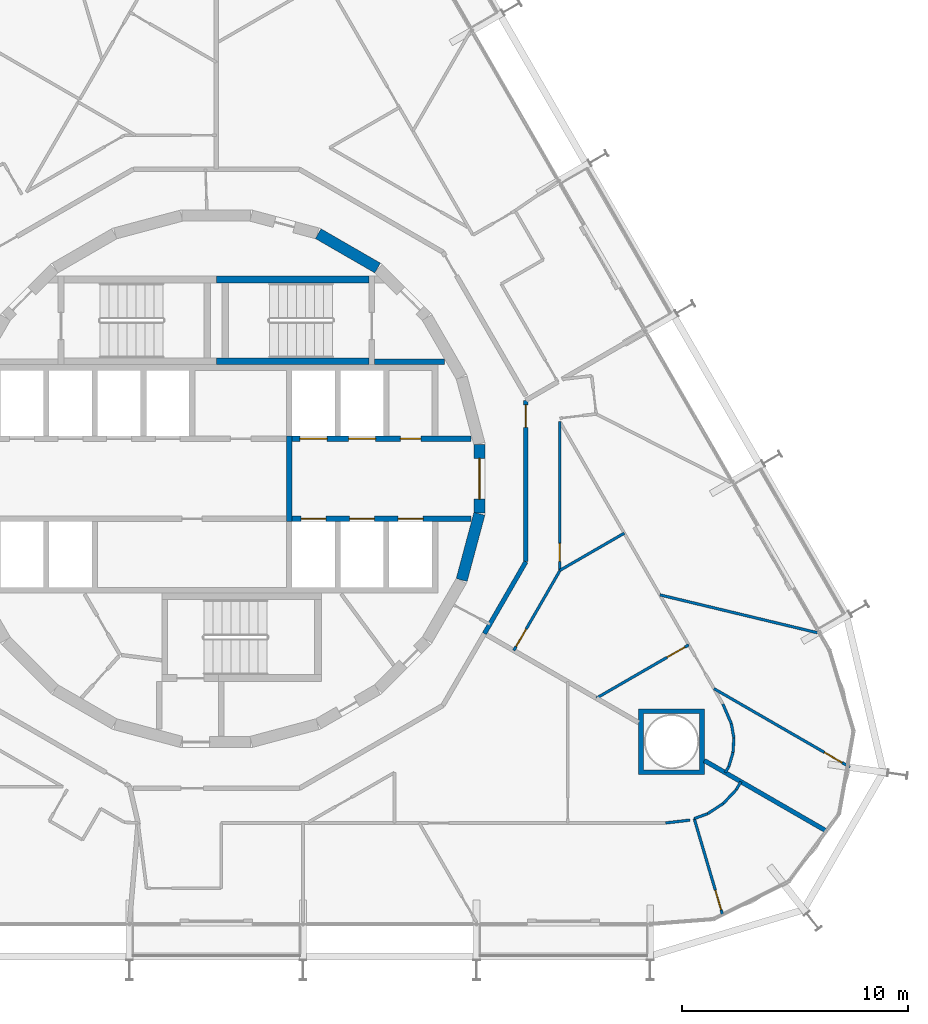
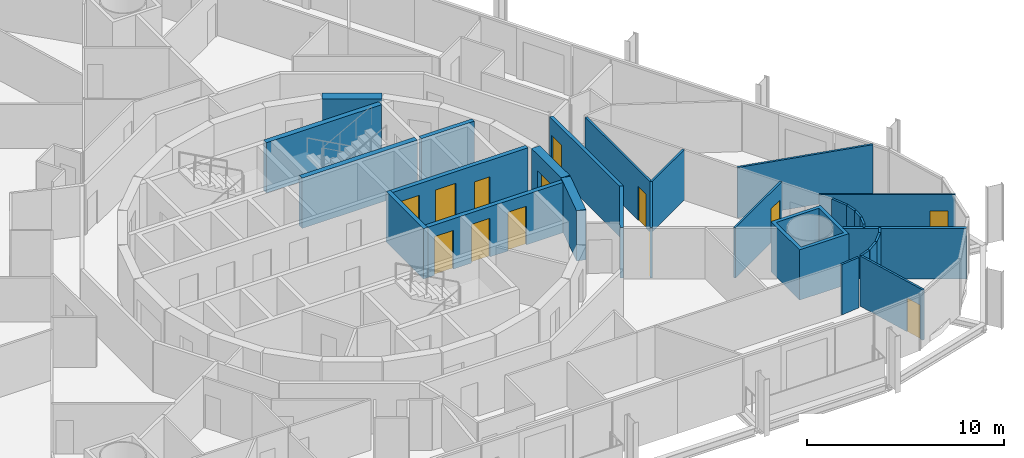
# One storey, part 16 of 21: 30 walls, 13 doors, 13 openings.
"""IFC4 building model written with IfcOpenShell, lengths in metres."""

from ifc_helpers import new_model, si_unit, direction, frame, frame_2d, origin, place, context, subcontext, project, spatial, polyline, rectangle, outline, extrude, material, layer, layer_set, type_object, element, fill, save


model = new_model("IFC4")

# Units and contexts
model_context = context("Model", 3, precision=1e-05, world=origin(), true_north=direction((0.0, 1.0)))
body_context = subcontext(model_context, "Body", "Model", "MODEL_VIEW")
ifc_project = project(units=[si_unit("LENGTHUNIT", "METRE"), si_unit("AREAUNIT", "SQUARE_METRE"), si_unit("VOLUMEUNIT", "CUBIC_METRE"), si_unit("PLANEANGLEUNIT", "RADIAN"), si_unit("MASSUNIT", "GRAM", prefix="KILO")], contexts=[model_context])

# Site, building, storey
site_placement = place(None, origin())
site = spatial("IfcSite", under=ifc_project, at=site_placement, CompositionType="ELEMENT")
building_placement = place(site_placement, origin())
building = spatial("IfcBuilding", under=site, at=building_placement, Name="Spindle Arch Residences", CompositionType="ELEMENT")
storey_placement = place(building_placement, frame((0.0, 0.0, 62.89990234375)))
storey = spatial("IfcBuildingStorey", under=building, at=storey_placement, Name="L14", CompositionType="ELEMENT", Elevation=62.89990234375)

# Wall
ifc_material_1 = material(Name="Concrete C50/60", Category="concrete")
ifc_layer_1 = layer(ifc_material_1, 0.5)
ifc_layer_set_1 = layer_set([ifc_layer_1], Name="Core outline wall 500")
wall_type_1 = type_object("IfcWallType", Name="Core outline wall 500", PredefinedType="SHEAR", material=ifc_layer_set_1)
wall_1_placement = place(storey_placement, frame((10.858154296875, -4.479248046875, 0.0), z_axis=(0.0, 0.0, 1.0), x_axis=(0.258734743916, 0.965948410781, 0.0)))
element("IfcWall", 1, at=wall_1_placement, inside=storey, type_object=wall_type_1, Name="Core outline wall 5", PredefinedType="SHEAR", context=body_context, shape_type="SweptSolid", body=[
    extrude(rectangle(XDim=3.03271484375, YDim=0.5, at=frame_2d((1.516357421875, 0.0))), origin(), (0.0, 0.0, 1.0), 3.1201171875),
])

# Wall, opening, door
wall_2_placement = place(storey_placement, frame((11.647216796875, -1.516357421875, 0.0), z_axis=(0.0, 0.0, 1.0), x_axis=(0.0, 1.0, 0.0)))
wall_2 = element("IfcWall", 2, at=wall_2_placement, inside=storey, type_object=wall_type_1, Name="Core outline wall 6", PredefinedType="SHEAR", context=body_context, shape_type="SweptSolid", body=[
    extrude(rectangle(XDim=3.03271484375, YDim=0.5, at=frame_2d((1.516357421875, 0.0))), origin(), (0.0, 0.0, 1.0), 3.1201171875),
])
opening_1_placement = place(wall_2_placement, frame((0.6162109375, 0.0, 0.0)))
opening_1 = element("IfcOpeningElement", 3, at=opening_1_placement, cuts=wall_2, Name="Opening R1C1-FE01", PredefinedType="OPENING", context=body_context, shape_type="SweptSolid", body=[
    extrude(rectangle(XDim=1.800048828125, YDim=2.10009765625, at=frame_2d((0.89990234375, 1.050048828125))), frame((0.0, 0.260009765625, 0.0), z_axis=(0.0, -1.0, 0.0), x_axis=(1.0, 0.0, 0.0)), (0.0, 0.0, 1.0), 0.52001953125),
])
ifc_material_2 = material(Name="Steel, fire-resisting door", Category="steel")
door_type_1 = type_object("IfcDoorType", Name="Fire-lift lobby door 1800x2100", OperationType="DOUBLE_DOOR_SINGLE_SWING", PredefinedType="DOOR", material=ifc_material_2)
door_1_placement = place(opening_1_placement, origin())
door_1 = element("IfcDoor", 4, at=door_1_placement, inside=storey, type_object=door_type_1, Name="Fire-lift lobby door R1C1-FE01", OperationType="DOUBLE_DOOR_SINGLE_SWING", OverallHeight=2.10009765625, OverallWidth=1.800048828125, PredefinedType="DOOR", context=body_context, shape_type="SweptSolid", body=[
    extrude(rectangle(XDim=1.800048828125, YDim=2.10009765625, at=frame_2d((0.89990234375, 1.050048828125))), frame((0.0, 0.02490234375, 0.0), z_axis=(0.0, -1.0, 0.0), x_axis=(1.0, 0.0, 0.0)), (0.0, 0.0, 1.0), 0.050048828125),
])
fill(opening_1, door_1)

# Walls
wall_3_placement = place(storey_placement, frame((7.13671875, 9.32861328125, 0.0), z_axis=(0.0, 0.0, 1.0), x_axis=(-0.865975092491, 0.500087131594, 0.0)))
element("IfcWall", 5, at=wall_3_placement, inside=storey, type_object=wall_type_1, Name="Core outline wall 10", PredefinedType="SHEAR", context=body_context, shape_type="SweptSolid", body=[
    extrude(rectangle(XDim=3.03271484375, YDim=0.5, at=frame_2d((1.516357421875, 0.0))), origin(), (0.0, 0.0, 1.0), 3.1201171875),
])
ifc_material_3 = material(Name="Calcium silicate block, plastered")
ifc_layer_2 = layer(ifc_material_3, 0.199951171875)
ifc_layer_set_2 = layer_set([ifc_layer_2], Name="Corridor wall 200")
wall_type_2 = type_object("IfcWallType", Name="Corridor wall 200", PredefinedType="STANDARD", material=ifc_layer_set_2)
wall_4_placement = place(storey_placement, frame((11.864501953125, -6.85009765625, 0.0), z_axis=(0.0, 0.0, 1.0), x_axis=(0.499987270552, 0.86603275301, 0.0)))
element("IfcWall", 6, at=wall_4_placement, inside=storey, type_object=wall_type_2, Name="Corridor wall R1C1-W007", PredefinedType="STANDARD", context=body_context, shape_type="SweptSolid", body=[
    extrude(rectangle(XDim=3.6708984375, YDim=0.199951171875, at=frame_2d((1.83544921875, 0.0))), origin(), (0.0, 0.0, 1.0), 3.1201171875),
])

# Wall, opening, door
wall_5_placement = place(storey_placement, frame((13.699951171875, -3.6708984375, 0.0), z_axis=(0.0, 0.0, 1.0), x_axis=(0.0, 1.0, 0.0)))
wall_5 = element("IfcWall", 7, at=wall_5_placement, inside=storey, type_object=wall_type_2, Name="Corridor wall R1C1-W008", PredefinedType="STANDARD", context=body_context, shape_type="SweptSolid", body=[
    extrude(rectangle(XDim=7.146484375, YDim=0.199951171875, at=frame_2d((3.5732421875, 0.0))), origin(), (0.0, 0.0, 1.0), 3.1201171875),
])
opening_2_placement = place(wall_5_placement, frame((5.946533203125, 0.0, 0.0)))
opening_2 = element("IfcOpeningElement", 8, at=opening_2_placement, cuts=wall_5, Name="Opening R1C1-FD06", PredefinedType="OPENING", context=body_context, shape_type="SweptSolid", body=[
    extrude(rectangle(XDim=1.0, YDim=2.10009765625, at=frame_2d((0.5, 1.050048828125))), frame((0.0, 0.10986328125, 0.0), z_axis=(0.0, -1.0, 0.0), x_axis=(1.0, 0.0, 0.0)), (0.0, 0.0, 1.0), 0.219970703125),
])
ifc_material_4 = material(Name="Timber, fire-resisting door set", Category="wood")
door_type_2 = type_object("IfcDoorType", Name="Flat entrance door 1000x2100", OperationType="NOTDEFINED", PredefinedType="DOOR", material=ifc_material_4)
door_2_placement = place(opening_2_placement, origin())
door_2 = element("IfcDoor", 9, at=door_2_placement, inside=storey, type_object=door_type_2, Name="Flat entrance door R1C1-FD06", OperationType="SINGLE_SWING_LEFT", OverallHeight=2.10009765625, OverallWidth=1.0, PredefinedType="DOOR", context=body_context, shape_type="SweptSolid", body=[
    extrude(rectangle(XDim=1.0, YDim=2.10009765625, at=frame_2d((0.5, 1.050048828125))), frame((0.0, 0.02490234375, 0.0), z_axis=(0.0, -1.0, 0.0), x_axis=(1.0, 0.0, 0.0)), (0.0, 0.0, 1.0), 0.050048828125),
])
fill(opening_2, door_2)

# Wall, openings, doors
ifc_material_5 = material(Name="Concrete C40/50", Category="concrete")
ifc_layer_3 = layer(ifc_material_5, 0.25)
ifc_layer_set_3 = layer_set([ifc_layer_3], Name="Fire-lift lobby wall 250")
wall_type_3 = type_object("IfcWallType", Name="Fire-lift lobby wall 250", PredefinedType="SHEAR", material=ifc_layer_set_3)
wall_6_placement = place(storey_placement, frame((3.35009765625, 1.77490234375, 0.0), z_axis=(0.0, 0.0, 1.0), x_axis=(1.0, 0.0, 0.0)))
wall_6 = element("IfcWall", 10, at=wall_6_placement, inside=storey, type_object=wall_type_3, Name="Lift shaft front wall NE", PredefinedType="SHEAR", context=body_context, shape_type="SweptSolid", body=[
    extrude(rectangle(XDim=7.929931640625, YDim=0.25, at=frame_2d((3.96484375, 0.0))), origin(), (0.0, 0.0, 1.0), 3.1201171875),
])
opening_3_placement = place(wall_6_placement, frame((0.35009765625, 0.0, 0.0)))
opening_3 = element("IfcOpeningElement", 11, at=opening_3_placement, cuts=wall_6, Name="Opening R1C1-SLD01", PredefinedType="OPENING", context=body_context, shape_type="SweptSolid", body=[
    extrude(rectangle(XDim=1.199951171875, YDim=2.39990234375, at=frame_2d((0.60009765625, 1.199951171875))), frame((0.0, 0.135009765625, 0.0), z_axis=(0.0, -1.0, 0.0), x_axis=(1.0, 0.0, 0.0)), (0.0, 0.0, 1.0), 0.27001953125),
])
opening_4_placement = place(wall_6_placement, frame((2.5, 0.0, 0.0)))
opening_4 = element("IfcOpeningElement", 12, at=opening_4_placement, cuts=wall_6, Name="Opening R1C1-SLD02", PredefinedType="OPENING", context=body_context, shape_type="SweptSolid", body=[
    extrude(rectangle(XDim=1.199951171875, YDim=2.39990234375, at=frame_2d((0.60009765625, 1.199951171875))), frame((0.0, 0.135009765625, 0.0), z_axis=(0.0, -1.0, 0.0), x_axis=(1.0, 0.0, 0.0)), (0.0, 0.0, 1.0), 0.27001953125),
])
opening_5_placement = place(wall_6_placement, frame((4.800048828125, 0.0, 0.0)))
opening_5 = element("IfcOpeningElement", 13, at=opening_5_placement, cuts=wall_6, Name="Opening R1C1-WD02", PredefinedType="OPENING", context=body_context, shape_type="SweptSolid", body=[
    extrude(rectangle(XDim=0.89990234375, YDim=2.10009765625, at=frame_2d((0.449951171875, 1.050048828125))), frame((0.0, 0.135009765625, 0.0), z_axis=(0.0, -1.0, 0.0), x_axis=(1.0, 0.0, 0.0)), (0.0, 0.0, 1.0), 0.27001953125),
])
ifc_material_6 = material(Name="Steel, fire-resisting landing door", Category="steel")
door_type_3 = type_object("IfcDoorType", Name="Service lift landing door 1200x2400", OperationType="DOUBLE_DOOR_SLIDING", PredefinedType="DOOR", material=ifc_material_6)
door_3_placement = place(opening_3_placement, origin())
door_3 = element("IfcDoor", 14, at=door_3_placement, inside=storey, type_object=door_type_3, Name="Service lift landing door R1C1-SLD01", OperationType="DOUBLE_DOOR_SLIDING", OverallHeight=2.39990234375, OverallWidth=1.199951171875, PredefinedType="DOOR", context=body_context, shape_type="SweptSolid", body=[
    extrude(rectangle(XDim=1.199951171875, YDim=2.39990234375, at=frame_2d((0.60009765625, 1.199951171875))), frame((0.0, 0.02490234375, 0.0), z_axis=(0.0, -1.0, 0.0), x_axis=(1.0, 0.0, 0.0)), (0.0, 0.0, 1.0), 0.050048828125),
])
fill(opening_3, door_3)
door_4_placement = place(opening_4_placement, origin())
door_4 = element("IfcDoor", 15, at=door_4_placement, inside=storey, type_object=door_type_3, Name="Service lift landing door R1C1-SLD02", OperationType="DOUBLE_DOOR_SLIDING", OverallHeight=2.39990234375, OverallWidth=1.199951171875, PredefinedType="DOOR", context=body_context, shape_type="SweptSolid", body=[
    extrude(rectangle(XDim=1.199951171875, YDim=2.39990234375, at=frame_2d((0.60009765625, 1.199951171875))), frame((0.0, 0.02490234375, 0.0), z_axis=(0.0, -1.0, 0.0), x_axis=(1.0, 0.0, 0.0)), (0.0, 0.0, 1.0), 0.050048828125),
])
fill(opening_4, door_4)
ifc_material_7 = material(Name="Steel, fire-resisting door", Category="steel")
door_type_4 = type_object("IfcDoorType", Name="Service room door 900x2100", OperationType="SINGLE_SWING_LEFT", PredefinedType="DOOR", material=ifc_material_7)
door_5_placement = place(opening_5_placement, origin())
door_5 = element("IfcDoor", 16, at=door_5_placement, inside=storey, type_object=door_type_4, Name="Service room door R1C1-WD02", OperationType="SINGLE_SWING_LEFT", OverallHeight=2.10009765625, OverallWidth=0.89990234375, PredefinedType="DOOR", context=body_context, shape_type="SweptSolid", body=[
    extrude(rectangle(XDim=0.89990234375, YDim=2.10009765625, at=frame_2d((0.449951171875, 1.050048828125))), frame((0.0, 0.02490234375, 0.0), z_axis=(0.0, -1.0, 0.0), x_axis=(1.0, 0.0, 0.0)), (0.0, 0.0, 1.0), 0.050048828125),
])
fill(opening_5, door_5)

# Wall
wall_7_placement = place(storey_placement, frame((3.22509765625, -1.89990234375, 0.0), z_axis=(0.0, 0.0, 1.0), x_axis=(0.0, 1.0, 0.0)))
element("IfcWall", 17, at=wall_7_placement, inside=storey, type_object=wall_type_3, Name="Fire-fighting lobby partition", PredefinedType="SHEAR", context=body_context, shape_type="SweptSolid", body=[
    extrude(rectangle(XDim=3.7998046875, YDim=0.25, at=frame_2d((1.89990234375, 0.0))), origin(), (0.0, 0.0, 1.0), 3.1201171875),
])

# Wall, openings, doors
ifc_material_8 = material(Name="Concrete C50/60", Category="concrete")
ifc_layer_4 = layer(ifc_material_8, 0.25)
ifc_layer_set_4 = layer_set([ifc_layer_4], Name="Fire-lift shaft wall 250")
wall_type_4 = type_object("IfcWallType", Name="Fire-lift shaft wall 250", PredefinedType="SHEAR", material=ifc_layer_set_4)
wall_8_placement = place(storey_placement, frame((3.35009765625, -1.77490234375, 0.0), z_axis=(0.0, 0.0, 1.0), x_axis=(1.0, 0.0, 0.0)))
wall_8 = element("IfcWall", 18, at=wall_8_placement, inside=storey, type_object=wall_type_4, Name="Lift shaft front wall SE", PredefinedType="SHEAR", context=body_context, shape_type="SweptSolid", body=[
    extrude(rectangle(XDim=7.929931640625, YDim=0.25, at=frame_2d((3.96484375, 0.0))), origin(), (0.0, 0.0, 1.0), 3.1201171875),
])
opening_6_placement = place(wall_8_placement, frame((0.39990234375, 0.0, 0.0)))
opening_6 = element("IfcOpeningElement", 19, at=opening_6_placement, cuts=wall_8, Name="Opening R1C1-FLD01", PredefinedType="OPENING", context=body_context, shape_type="SweptSolid", body=[
    extrude(rectangle(XDim=1.10009765625, YDim=2.39990234375, at=frame_2d((0.550048828125, 1.199951171875))), frame((0.0, 0.135009765625, 0.0), z_axis=(0.0, -1.0, 0.0), x_axis=(1.0, 0.0, 0.0)), (0.0, 0.0, 1.0), 0.27001953125),
])
opening_7_placement = place(wall_8_placement, frame((2.550048828125, 0.0, 0.0)))
opening_7 = element("IfcOpeningElement", 20, at=opening_7_placement, cuts=wall_8, Name="Opening R1C1-FLD02", PredefinedType="OPENING", context=body_context, shape_type="SweptSolid", body=[
    extrude(rectangle(XDim=1.10009765625, YDim=2.39990234375, at=frame_2d((0.550048828125, 1.199951171875))), frame((0.0, 0.135009765625, 0.0), z_axis=(0.0, -1.0, 0.0), x_axis=(1.0, 0.0, 0.0)), (0.0, 0.0, 1.0), 0.27001953125),
])
opening_8_placement = place(wall_8_placement, frame((4.699951171875, 0.0, 0.0)))
opening_8 = element("IfcOpeningElement", 21, at=opening_8_placement, cuts=wall_8, Name="Opening R1C1-FLD03", PredefinedType="OPENING", context=body_context, shape_type="SweptSolid", body=[
    extrude(rectangle(XDim=1.10009765625, YDim=2.39990234375, at=frame_2d((0.550048828125, 1.199951171875))), frame((0.0, 0.135009765625, 0.0), z_axis=(0.0, -1.0, 0.0), x_axis=(1.0, 0.0, 0.0)), (0.0, 0.0, 1.0), 0.27001953125),
])
ifc_material_9 = material(Name="Steel, fire-resisting landing door", Category="steel")
door_type_5 = type_object("IfcDoorType", Name="Fire-fighting lift landing door 1100x2400", OperationType="DOUBLE_DOOR_SLIDING", PredefinedType="DOOR", material=ifc_material_9)
door_6_placement = place(opening_6_placement, origin())
door_6 = element("IfcDoor", 22, at=door_6_placement, inside=storey, type_object=door_type_5, Name="Fire-fighting lift landing door R1C1-FLD01", OperationType="DOUBLE_DOOR_SLIDING", OverallHeight=2.39990234375, OverallWidth=1.10009765625, PredefinedType="DOOR", context=body_context, shape_type="SweptSolid", body=[
    extrude(rectangle(XDim=1.10009765625, YDim=2.39990234375, at=frame_2d((0.550048828125, 1.199951171875))), frame((0.0, 0.02490234375, 0.0), z_axis=(0.0, -1.0, 0.0), x_axis=(1.0, 0.0, 0.0)), (0.0, 0.0, 1.0), 0.050048828125),
])
fill(opening_6, door_6)
door_7_placement = place(opening_7_placement, origin())
door_7 = element("IfcDoor", 23, at=door_7_placement, inside=storey, type_object=door_type_5, Name="Fire-fighting lift landing door R1C1-FLD02", OperationType="DOUBLE_DOOR_SLIDING", OverallHeight=2.39990234375, OverallWidth=1.10009765625, PredefinedType="DOOR", context=body_context, shape_type="SweptSolid", body=[
    extrude(rectangle(XDim=1.10009765625, YDim=2.39990234375, at=frame_2d((0.550048828125, 1.199951171875))), frame((0.0, 0.02490234375, 0.0), z_axis=(0.0, -1.0, 0.0), x_axis=(1.0, 0.0, 0.0)), (0.0, 0.0, 1.0), 0.050048828125),
])
fill(opening_7, door_7)
door_8_placement = place(opening_8_placement, origin())
door_8 = element("IfcDoor", 24, at=door_8_placement, inside=storey, type_object=door_type_5, Name="Fire-fighting lift landing door R1C1-FLD03", OperationType="DOUBLE_DOOR_SLIDING", OverallHeight=2.39990234375, OverallWidth=1.10009765625, PredefinedType="DOOR", context=body_context, shape_type="SweptSolid", body=[
    extrude(rectangle(XDim=1.10009765625, YDim=2.39990234375, at=frame_2d((0.550048828125, 1.199951171875))), frame((0.0, 0.02490234375, 0.0), z_axis=(0.0, -1.0, 0.0), x_axis=(1.0, 0.0, 0.0)), (0.0, 0.0, 1.0), 0.050048828125),
])
fill(opening_8, door_8)

# Wall
ifc_material_10 = material(Name="Plasterboard on steel studs", Category="steel")
ifc_layer_5 = layer(ifc_material_10, 0.1201171875)
ifc_layer_set_5 = layer_set([ifc_layer_5], Name="Flat partition 120")
wall_type_5 = type_object("IfcWallType", Name="Flat partition 120", PredefinedType="PARTITIONING", material=ifc_layer_set_5)
wall_9_placement = place(storey_placement, frame((20.966796875, -15.103759765625, 0.0), z_axis=(0.0, 0.0, 1.0), x_axis=(-0.993231641151, -0.116150363826, 0.0)))
element("IfcWall", 25, at=wall_9_placement, inside=storey, type_object=wall_type_5, Name="Flat partition R1C1-W106", PredefinedType="PARTITIONING", context=body_context, shape_type="SweptSolid", body=[
    extrude(rectangle(XDim=1.086669921875, YDim=0.1201171875, at=frame_2d((0.54345703125, 0.0))), origin(), (0.0, 0.0, 1.0), 3.1201171875),
])

# Wall, opening, door
wall_10_placement = place(storey_placement, frame((22.395751953125, -19.26611328125, 0.0), z_axis=(0.0, 0.0, 1.0), x_axis=(-0.282873823334, 0.959157130022, 0.0)))
wall_10 = element("IfcWall", 26, at=wall_10_placement, inside=storey, type_object=wall_type_5, Name="Flat partition R1C1-W107", PredefinedType="PARTITIONING", context=body_context, shape_type="SweptSolid", body=[
    extrude(rectangle(XDim=4.40869140625, YDim=0.1201171875, at=frame_2d((2.204345703125, 0.0))), origin(), (0.0, 0.0, 1.0), 3.1201171875),
])
opening_9_placement = place(wall_10_placement, frame((0.199951171875, 0.0, 0.0)))
opening_9 = element("IfcOpeningElement", 27, at=opening_9_placement, cuts=wall_10, Name="Opening R1C1-ID28", PredefinedType="OPENING", context=body_context, shape_type="SweptSolid", body=[
    extrude(rectangle(XDim=0.89990234375, YDim=2.10009765625, at=frame_2d((0.449951171875, 1.050048828125))), frame((0.0, 0.070068359375, 0.0), z_axis=(0.0, -1.0, 0.0), x_axis=(1.0, 0.0, 0.0)), (0.0, 0.0, 1.0), 0.14013671875),
])
ifc_material_11 = material(Name="Timber door set", Category="wood")
door_type_6 = type_object("IfcDoorType", Name="Room door 900x2100", OperationType="NOTDEFINED", PredefinedType="DOOR", material=ifc_material_11)
door_9_placement = place(opening_9_placement, origin())
door_9 = element("IfcDoor", 28, at=door_9_placement, inside=storey, type_object=door_type_6, Name="Room door R1C1-ID28", OperationType="SINGLE_SWING_RIGHT", OverallHeight=2.10009765625, OverallWidth=0.89990234375, PredefinedType="DOOR", context=body_context, shape_type="SweptSolid", body=[
    extrude(rectangle(XDim=0.89990234375, YDim=2.10009765625, at=frame_2d((0.449951171875, 1.050048828125))), frame((0.0, 0.02490234375, 0.0), z_axis=(0.0, -1.0, 0.0), x_axis=(1.0, 0.0, 0.0)), (0.0, 0.0, 1.0), 0.050048828125),
])
fill(opening_9, door_9)

# Walls
wall_11_placement = place(storey_placement, frame((21.148681640625, -15.03759765625, 0.0), z_axis=(0.0, 0.0, 1.0), x_axis=(0.939726102094, 0.341928140173, 0.0)))
element("IfcWall", 29, at=wall_11_placement, inside=storey, type_object=wall_type_5, Name="Flat partition R1C1-W108", PredefinedType="PARTITIONING", context=body_context, shape_type="SweptSolid", body=[
    extrude(rectangle(XDim=0.635498046875, YDim=0.1201171875, at=frame_2d((0.31787109375, 0.0))), origin(), (0.0, 0.0, 1.0), 3.1201171875),
])
wall_12_placement = place(storey_placement, frame((21.745849609375, -14.8203125, 0.0), z_axis=(0.0, 0.0, 1.0), x_axis=(0.835477570013, 0.549524549046, 0.0)))
element("IfcWall", 30, at=wall_12_placement, inside=storey, type_object=wall_type_5, Name="Flat partition R1C1-W109", PredefinedType="PARTITIONING", context=body_context, shape_type="SweptSolid", body=[
    extrude(rectangle(XDim=0.8291015625, YDim=0.1201171875, at=frame_2d((0.41455078125, 0.0))), origin(), (0.0, 0.0, 1.0), 3.1201171875),
])
wall_13_placement = place(storey_placement, frame((22.4384765625, -14.36474609375, 0.0), z_axis=(0.0, 0.0, 1.0), x_axis=(0.686182189596, 0.727429723535, 0.0)))
element("IfcWall", 31, at=wall_13_placement, inside=storey, type_object=wall_type_5, Name="Flat partition R1C1-W110", PredefinedType="PARTITIONING", context=body_context, shape_type="SweptSolid", body=[
    extrude(rectangle(XDim=0.82861328125, YDim=0.1201171875, at=frame_2d((0.414306640625, 0.0))), origin(), (0.0, 0.0, 1.0), 3.1201171875),
])
wall_14_placement = place(storey_placement, frame((23.007080078125, -13.761962890625, 0.0), z_axis=(0.0, 0.0, 1.0), x_axis=(0.499875358948, 0.866097353371, 0.0)))
element("IfcWall", 32, at=wall_14_placement, inside=storey, type_object=wall_type_5, Name="Flat partition R1C1-W111", PredefinedType="PARTITIONING", context=body_context, shape_type="SweptSolid", body=[
    extrude(rectangle(XDim=0.41455078125, YDim=0.1201171875, at=frame_2d((0.207275390625, 0.0))), origin(), (0.0, 0.0, 1.0), 3.1201171875),
])

# Wall, opening, door
wall_15_placement = place(storey_placement, frame((13.16357421875, -7.60009765625, 0.0), z_axis=(0.0, 0.0, 1.0), x_axis=(0.499974973053, 0.866039852617, 0.0)))
wall_15 = element("IfcWall", 33, at=wall_15_placement, inside=storey, type_object=wall_type_5, Name="Flat partition R1C1-W114", PredefinedType="PARTITIONING", context=body_context, shape_type="SweptSolid", body=[
    extrude(rectangle(XDim=4.072998046875, YDim=0.1201171875, at=frame_2d((2.03662109375, 0.0))), origin(), (0.0, 0.0, 1.0), 3.1201171875),
])
opening_10_placement = place(wall_15_placement, frame((0.199951171875, 0.0, 0.0)))
opening_10 = element("IfcOpeningElement", 34, at=opening_10_placement, cuts=wall_15, Name="Opening R1C1-ID30", PredefinedType="OPENING", context=body_context, shape_type="SweptSolid", body=[
    extrude(rectangle(XDim=0.89990234375, YDim=2.10009765625, at=frame_2d((0.449951171875, 1.050048828125))), frame((0.0, 0.070068359375, 0.0), z_axis=(0.0, -1.0, 0.0), x_axis=(1.0, 0.0, 0.0)), (0.0, 0.0, 1.0), 0.14013671875),
])
door_10_placement = place(opening_10_placement, origin())
door_10 = element("IfcDoor", 35, at=door_10_placement, inside=storey, type_object=door_type_6, Name="Room door R1C1-ID30", OperationType="SINGLE_SWING_LEFT", OverallHeight=2.10009765625, OverallWidth=0.89990234375, PredefinedType="DOOR", context=body_context, shape_type="SweptSolid", body=[
    extrude(rectangle(XDim=0.89990234375, YDim=2.10009765625, at=frame_2d((0.449951171875, 1.050048828125))), frame((0.0, 0.02490234375, 0.0), z_axis=(0.0, -1.0, 0.0), x_axis=(1.0, 0.0, 0.0)), (0.0, 0.0, 1.0), 0.050048828125),
])
fill(opening_10, door_10)

wall_16_placement = place(storey_placement, frame((15.199951171875, -4.054931640625, 0.0), z_axis=(0.0, 0.0, 1.0), x_axis=(0.0, 1.0, 0.0)))
wall_16 = element("IfcWall", 36, at=wall_16_placement, inside=storey, type_object=wall_type_5, Name="Flat partition R1C1-W116", PredefinedType="PARTITIONING", context=body_context, shape_type="SweptSolid", body=[
    extrude(rectangle(XDim=6.587646484375, YDim=0.1201171875, at=frame_2d((3.2939453125, 0.0))), origin(), (0.0, 0.0, 1.0), 3.1201171875),
])
opening_11_placement = place(wall_16_placement, frame((0.39990234375, 0.0, 0.0)))
opening_11 = element("IfcOpeningElement", 37, at=opening_11_placement, cuts=wall_16, Name="Opening R1C1-BD07", PredefinedType="OPENING", context=body_context, shape_type="SweptSolid", body=[
    extrude(rectangle(XDim=0.800048828125, YDim=2.10009765625, at=frame_2d((0.39990234375, 1.050048828125))), frame((0.0, 0.070068359375, 0.0), z_axis=(0.0, -1.0, 0.0), x_axis=(1.0, 0.0, 0.0)), (0.0, 0.0, 1.0), 0.14013671875),
])
ifc_material_12 = material(Name="Timber door set", Category="wood")
door_type_7 = type_object("IfcDoorType", Name="Bathroom door 800x2100", OperationType="NOTDEFINED", PredefinedType="DOOR", material=ifc_material_12)
door_11_placement = place(opening_11_placement, origin())
door_11 = element("IfcDoor", 38, at=door_11_placement, inside=storey, type_object=door_type_7, Name="Bathroom door R1C1-BD07", OperationType="SINGLE_SWING_LEFT", OverallHeight=2.10009765625, OverallWidth=0.800048828125, PredefinedType="DOOR", context=body_context, shape_type="SweptSolid", body=[
    extrude(rectangle(XDim=0.800048828125, YDim=2.10009765625, at=frame_2d((0.39990234375, 1.050048828125))), frame((0.0, 0.02490234375, 0.0), z_axis=(0.0, -1.0, 0.0), x_axis=(1.0, 0.0, 0.0)), (0.0, 0.0, 1.0), 0.050048828125),
])
fill(opening_11, door_11)

# Walls
wall_17_placement = place(storey_placement, frame((22.4169921875, -9.967529296875, 0.0), z_axis=(0.0, 0.0, 1.0), x_axis=(0.395971779074, -0.918262680379, 0.0)))
element("IfcWall", 39, at=wall_17_placement, inside=storey, type_object=wall_type_5, Name="Flat partition R1C1-W119", PredefinedType="PARTITIONING", context=body_context, shape_type="SweptSolid", body=[
    extrude(rectangle(XDim=0.947021484375, YDim=0.1201171875, at=frame_2d((0.4736328125, 0.0))), origin(), (0.0, 0.0, 1.0), 3.1201171875),
])
wall_18_placement = place(storey_placement, frame((22.7919921875, -10.837158203125, 0.0), z_axis=(0.0, 0.0, 1.0), x_axis=(0.17382873157, -0.984775899421, 0.0)))
element("IfcWall", 40, at=wall_18_placement, inside=storey, type_object=wall_type_5, Name="Flat partition R1C1-W120", PredefinedType="PARTITIONING", context=body_context, shape_type="SweptSolid", body=[
    extrude(rectangle(XDim=0.641845703125, YDim=0.1201171875, at=frame_2d((0.32080078125, 0.0))), origin(), (0.0, 0.0, 1.0), 3.1201171875),
])
wall_19_placement = place(storey_placement, frame((22.903564453125, -11.46923828125, 0.0), z_axis=(0.0, 0.0, 1.0), x_axis=(-0.05820906079, -0.998304415117, 0.0)))
element("IfcWall", 41, at=wall_19_placement, inside=storey, type_object=wall_type_5, Name="Flat partition R1C1-W121", PredefinedType="PARTITIONING", context=body_context, shape_type="SweptSolid", body=[
    extrude(rectangle(XDim=0.6416015625, YDim=0.1201171875, at=frame_2d((0.32080078125, 0.0))), origin(), (0.0, 0.0, 1.0), 3.1201171875),
])
wall_20_placement = place(storey_placement, frame((22.8662109375, -12.10986328125, 0.0), z_axis=(0.0, 0.0, 1.0), x_axis=(-0.286754684479, -0.958004045362, 0.0)))
element("IfcWall", 42, at=wall_20_placement, inside=storey, type_object=wall_type_5, Name="Flat partition R1C1-W122", PredefinedType="PARTITIONING", context=body_context, shape_type="SweptSolid", body=[
    extrude(rectangle(XDim=0.641845703125, YDim=0.1201171875, at=frame_2d((0.32080078125, 0.0))), origin(), (0.0, 0.0, 1.0), 3.1201171875),
])
wall_21_placement = place(storey_placement, frame((22.68212890625, -12.724853515625, 0.0), z_axis=(0.0, 0.0, 1.0), x_axis=(-0.500226934229, -0.865894343596, 0.0)))
element("IfcWall", 43, at=wall_21_placement, inside=storey, type_object=wall_type_5, Name="Flat partition R1C1-W123", PredefinedType="PARTITIONING", context=body_context, shape_type="SweptSolid", body=[
    extrude(rectangle(XDim=0.321044921875, YDim=0.1201171875, at=frame_2d((0.16064453125, 0.0))), origin(), (0.0, 0.0, 1.0), 3.1201171875),
])

# Wall, opening, door
wall_22_placement = place(storey_placement, frame((28.037109375, -12.75927734375, 0.0), z_axis=(0.0, 0.0, 1.0), x_axis=(-0.866009909538, 0.500026835863, 0.0)))
wall_22 = element("IfcWall", 44, at=wall_22_placement, inside=storey, type_object=wall_type_5, Name="Flat partition R1C1-W124", PredefinedType="PARTITIONING", context=body_context, shape_type="SweptSolid", body=[
    extrude(rectangle(XDim=6.94287109375, YDim=0.1201171875, at=frame_2d((3.471435546875, 0.0))), origin(), (0.0, 0.0, 1.0), 3.1201171875),
])
opening_12_placement = place(wall_22_placement, frame((0.39990234375, 0.0, 0.0)))
opening_12 = element("IfcOpeningElement", 45, at=opening_12_placement, cuts=wall_22, Name="Opening R1C1-ID34", PredefinedType="OPENING", context=body_context, shape_type="SweptSolid", body=[
    extrude(rectangle(XDim=0.89990234375, YDim=2.10009765625, at=frame_2d((0.449951171875, 1.050048828125))), frame((0.0, 0.070068359375, 0.0), z_axis=(0.0, -1.0, 0.0), x_axis=(1.0, 0.0, 0.0)), (0.0, 0.0, 1.0), 0.14013671875),
])
door_12_placement = place(opening_12_placement, origin())
door_12 = element("IfcDoor", 46, at=door_12_placement, inside=storey, type_object=door_type_6, Name="Room door R1C1-ID34", OperationType="SINGLE_SWING_LEFT", OverallHeight=2.10009765625, OverallWidth=0.89990234375, PredefinedType="DOOR", context=body_context, shape_type="SweptSolid", body=[
    extrude(rectangle(XDim=0.89990234375, YDim=2.10009765625, at=frame_2d((0.449951171875, 1.050048828125))), frame((0.0, 0.02490234375, 0.0), z_axis=(0.0, -1.0, 0.0), x_axis=(1.0, 0.0, 0.0)), (0.0, 0.0, 1.0), 0.050048828125),
])
fill(opening_12, door_12)

wall_23_placement = place(storey_placement, frame((20.905029296875, -7.3486328125, 0.0), z_axis=(0.0, 0.0, 1.0), x_axis=(-0.866032292145, -0.49998806882, 0.0)))
wall_23 = element("IfcWall", 47, at=wall_23_placement, inside=storey, type_object=wall_type_5, Name="Flat partition R1C1-W125", PredefinedType="PARTITIONING", context=body_context, shape_type="SweptSolid", body=[
    extrude(rectangle(XDim=4.720703125, YDim=0.1201171875, at=frame_2d((2.3603515625, 0.0))), origin(), (0.0, 0.0, 1.0), 3.1201171875),
])
opening_13_placement = place(wall_23_placement, frame((0.199951171875, 0.0, 0.0)))
opening_13 = element("IfcOpeningElement", 48, at=opening_13_placement, cuts=wall_23, Name="Opening R1C1-ID32", PredefinedType="OPENING", context=body_context, shape_type="SweptSolid", body=[
    extrude(rectangle(XDim=0.89990234375, YDim=2.10009765625, at=frame_2d((0.449951171875, 1.050048828125))), frame((0.0, 0.070068359375, 0.0), z_axis=(0.0, -1.0, 0.0), x_axis=(1.0, 0.0, 0.0)), (0.0, 0.0, 1.0), 0.14013671875),
])
door_13_placement = place(opening_13_placement, origin())
door_13 = element("IfcDoor", 49, at=door_13_placement, inside=storey, type_object=door_type_6, Name="Room door R1C1-ID32", OperationType="SINGLE_SWING_LEFT", OverallHeight=2.10009765625, OverallWidth=0.89990234375, PredefinedType="DOOR", context=body_context, shape_type="SweptSolid", body=[
    extrude(rectangle(XDim=0.89990234375, YDim=2.10009765625, at=frame_2d((0.449951171875, 1.050048828125))), frame((0.0, 0.02490234375, 0.0), z_axis=(0.0, -1.0, 0.0), x_axis=(1.0, 0.0, 0.0)), (0.0, 0.0, 1.0), 0.050048828125),
])
fill(opening_13, door_13)

# Walls
wall_24_placement = place(storey_placement, frame((18.052490234375, -2.407958984375, 0.0), z_axis=(0.0, 0.0, 1.0), x_axis=(-0.866017718408, -0.500013311227, 0.0)))
element("IfcWall", 50, at=wall_24_placement, inside=storey, type_object=wall_type_5, Name="Flat partition R1C1-W126", PredefinedType="PARTITIONING", context=body_context, shape_type="SweptSolid", body=[
    extrude(rectangle(XDim=3.2939453125, YDim=0.1201171875, at=frame_2d((1.64697265625, 0.0))), origin(), (0.0, 0.0, 1.0), 3.1201171875),
])
wall_25_placement = place(storey_placement, frame((26.60009765625, -6.81298828125, 0.0), z_axis=(0.0, 0.0, 1.0), x_axis=(-0.972307508101, 0.23370517686, 0.0)))
element("IfcWall", 51, at=wall_25_placement, inside=storey, type_object=wall_type_5, Name="Flat partition R1C1-W127", PredefinedType="PARTITIONING", context=body_context, shape_type="SweptSolid", body=[
    extrude(rectangle(XDim=7.17041015625, YDim=0.1201171875, at=frame_2d((3.585205078125, 0.0))), origin(), (0.0, 0.0, 1.0), 3.1201171875),
])
ifc_material_13 = material(Name="Calcium silicate block, plastered")
ifc_layer_6 = layer(ifc_material_13, 0.199951171875)
ifc_layer_set_6 = layer_set([ifc_layer_6], Name="Flat party wall 200")
wall_type_6 = type_object("IfcWallType", Name="Flat party wall 200", PredefinedType="STANDARD", material=ifc_layer_set_6)
wall_26_placement = place(storey_placement, frame((27.02490234375, -15.602783203125, 0.0), z_axis=(0.0, 0.0, 1.0), x_axis=(-0.866030653443, 0.499990907215, 0.0)))
element("IfcWall", 52, at=wall_26_placement, inside=storey, type_object=wall_type_6, Name="Flat party wall R1C1-W030", PredefinedType="STANDARD", context=body_context, shape_type="SweptSolid", body=[
    extrude(rectangle(XDim=6.271484375, YDim=0.199951171875, at=frame_2d((3.1357421875, 0.0))), origin(), (0.0, 0.0, 1.0), 3.1201171875),
])
ifc_material_14 = material(Name="Calcium silicate block, plastered")
ifc_layer_7 = layer(ifc_material_14, 0.199951171875)
ifc_layer_set_7 = layer_set([ifc_layer_7], Name="Mega-column casing wall 200")
wall_type_7 = type_object("IfcWallType", Name="Mega-column casing wall 200", PredefinedType="STANDARD", material=ifc_layer_set_7)
wall_27_placement = place(storey_placement, origin())
element("IfcWall", 53, at=wall_27_placement, inside=storey, type_object=wall_type_7, Name="Mega-column casing wall R1C1-WC03", PredefinedType="STANDARD", context=body_context, shape_type="SweptSolid", body=[
    extrude(outline(polyline([(21.593505859375, -10.179931640625), (21.593505859375, -13.079833984375), (18.693603515625, -13.079833984375), (18.693603515625, -10.179931640625), (21.593505859375, -10.179931640625)]), holes=[polyline([(18.8935546875, -12.8798828125), (21.3935546875, -12.8798828125), (21.3935546875, -10.3798828125), (18.8935546875, -10.3798828125), (18.8935546875, -12.8798828125)])]), origin(), (0.0, 0.0, 1.0), 3.1201171875),
])
ifc_material_15 = material(Name="Concrete C40/50", Category="concrete")
ifc_layer_8 = layer(ifc_material_15, 0.25)
ifc_layer_set_8 = layer_set([ifc_layer_8], Name="Stair airlock wall 250")
wall_type_8 = type_object("IfcWallType", Name="Stair airlock wall 250", PredefinedType="SHEAR", material=ifc_layer_set_8)
wall_28_placement = place(storey_placement, frame((7.0, 5.175048828125, 0.0), z_axis=(0.0, 0.0, 1.0), x_axis=(1.0, 0.0, 0.0)))
element("IfcWall", 54, at=wall_28_placement, inside=storey, type_object=wall_type_8, Name="Stair ST-1 airlock wall S", PredefinedType="SHEAR", context=body_context, shape_type="SweptSolid", body=[
    extrude(rectangle(XDim=3.10009765625, YDim=0.25, at=frame_2d((1.550048828125, 0.0))), origin(), (0.0, 0.0, 1.0), 3.1201171875),
])
ifc_material_16 = material(Name="Concrete C50/60", Category="concrete")
ifc_layer_9 = layer(ifc_material_16, 0.300048828125)
ifc_layer_set_9 = layer_set([ifc_layer_9], Name="Stair enclosure wall 300")
wall_type_9 = type_object("IfcWallType", Name="Stair enclosure wall 300", PredefinedType="SHEAR", material=ifc_layer_set_9)
for number, where, z_axis, x_axis, name in (
    (55, (0.0, 5.199951171875, 0.0), (0.0, 0.0, 1.0), (1.0, 0.0, 0.0), "Stair ST-1 enclosure wall S"),
    (56, (0.0, 8.820068359375, 0.0), (0.0, 0.0, 1.0), (1.0, 0.0, 0.0), "Stair ST-1 enclosure wall N"),
):
    element("IfcWall", number, at=place(storey_placement, frame(where, z_axis=z_axis, x_axis=x_axis)), inside=storey, type_object=wall_type_9, Name=name, PredefinedType="SHEAR", context=body_context, shape_type="SweptSolid", body=[
        extrude(rectangle(XDim=6.75, YDim=0.300048828125, at=frame_2d((3.375, 0.0))), origin(), (0.0, 0.0, 1.0), 3.1201171875),
    ])

save(model, "model.ifc")
